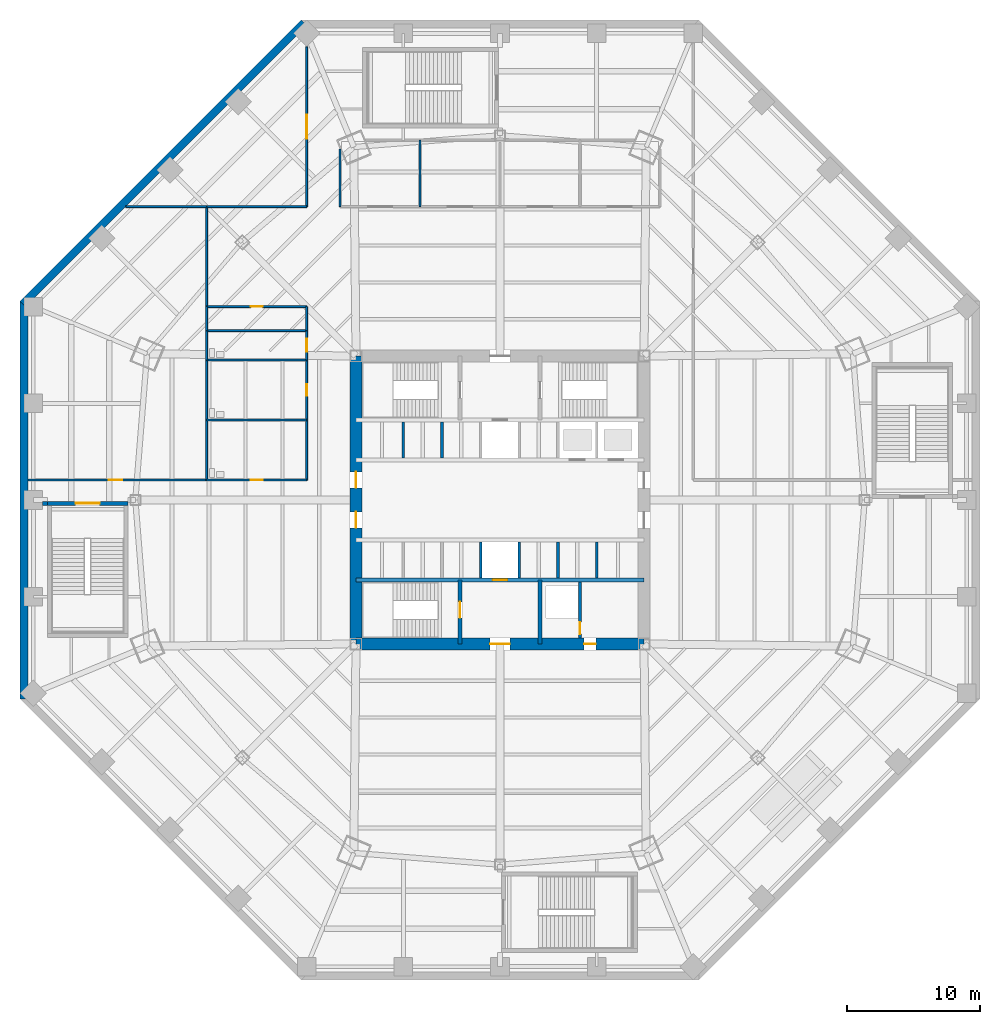
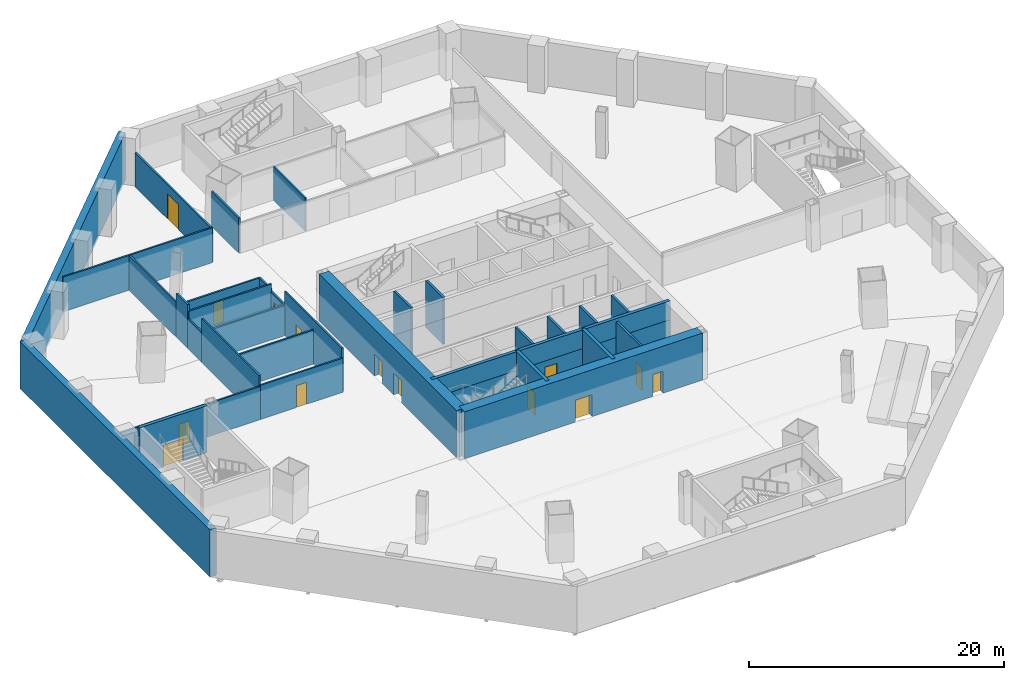
# One storey, part 8 of 15: 35 walls, 14 doors, 14 openings.
"""IFC4 building model written with IfcOpenShell, lengths in metres."""

from ifc_helpers import new_model, si_unit, direction, frame, frame_2d, origin, place, context, subcontext, project, spatial, rectangle, extrude, material, layer, layer_set, type_object, element, fill, save


model = new_model("IFC4")

# Units and contexts
model_context = context("Model", 3, precision=1e-05, world=origin(), true_north=direction((0.0, 1.0)))
body_context = subcontext(model_context, "Body", "Model", "MODEL_VIEW")
ifc_project = project(units=[si_unit("LENGTHUNIT", "METRE"), si_unit("AREAUNIT", "SQUARE_METRE"), si_unit("VOLUMEUNIT", "CUBIC_METRE"), si_unit("PLANEANGLEUNIT", "RADIAN"), si_unit("MASSUNIT", "GRAM", prefix="KILO")], contexts=[model_context])

# Site, building, storey
site_placement = place(None, origin())
site = spatial("IfcSite", under=ifc_project, at=site_placement, CompositionType="ELEMENT")
building_placement = place(site_placement, origin())
building = spatial("IfcBuilding", under=site, at=building_placement, Name="Mashrafa Tower", CompositionType="ELEMENT")
storey_placement = place(building_placement, frame((0.0, 0.0, -4.5)))
storey = spatial("IfcBuildingStorey", under=building, at=storey_placement, Name="B1", CompositionType="ELEMENT", Elevation=-4.5)

# Walls
ifc_material_1 = material(Name="Concrete C40/50", Category="concrete")
ifc_layer_1 = layer(ifc_material_1, 0.60009765625)
ifc_layer_set_1 = layer_set([ifc_layer_1], Name="Basement retaining wall 600")
wall_type_1 = type_object("IfcWallType", Name="Basement retaining wall 600", PredefinedType="SOLIDWALL", material=ifc_layer_set_1)
wall_1_placement = place(storey_placement, frame((-14.699462890625, 35.787841796875, -0.300048828125), z_axis=(0.0, 0.0, 1.0), x_axis=(-0.707106781187, -0.707106781187, 0.0)))
element("IfcWall", 1, at=wall_1_placement, inside=storey, type_object=wall_type_1, Name="Basement retaining wall B1 north-west", PredefinedType="SOLIDWALL", context=body_context, shape_type="SweptSolid", body=[
    extrude(rectangle(XDim=29.823486328125, YDim=0.60009765625, at=frame_2d((14.91162109375, 0.0))), origin(), (0.0, 0.0, 1.0), 4.5),
])
wall_2_placement = place(storey_placement, frame((-35.699951171875, 14.91162109375, -0.300048828125), z_axis=(0.0, 0.0, 1.0), x_axis=(0.0, -1.0, 0.0)))
element("IfcWall", 2, at=wall_2_placement, inside=storey, type_object=wall_type_1, Name="Basement retaining wall B1 west", PredefinedType="SOLIDWALL", context=body_context, shape_type="SweptSolid", body=[
    extrude(rectangle(XDim=29.8232421875, YDim=0.60009765625, at=frame_2d((14.91162109375, 0.0))), origin(), (0.0, 0.0, 1.0), 4.5),
])

# Wall, opening, door
ifc_material_2 = material(Name="Concrete masonry unit", Category="masonry")
ifc_layer_2 = layer(ifc_material_2, 0.199951171875)
ifc_layer_set_2 = layer_set([ifc_layer_2], Name="Blockwork wall 200 2 hr")
wall_type_2 = type_object("IfcWallType", Name="Blockwork wall 200 2 hr", PredefinedType="PARTITIONING", material=ifc_layer_set_2)
wall_3_placement = place(storey_placement, frame((6.0, -10.35009765625, 0.0), z_axis=(0.0, 0.0, 1.0), x_axis=(0.0, 1.0, 0.0)))
wall_3 = element("IfcWall", 3, at=wall_3_placement, inside=storey, type_object=wall_type_2, Name="Riser enclosure wall B1", PredefinedType="PARTITIONING", context=body_context, shape_type="SweptSolid", body=[
    extrude(rectangle(XDim=4.2001953125, YDim=0.199951171875, at=frame_2d((2.10009765625, 0.0))), origin(), (0.0, 0.0, 1.0), 4.199951171875),
])
opening_1_placement = place(wall_3_placement, frame((0.300048828125, 0.0, 0.0)))
opening_1 = element("IfcOpeningElement", 4, at=opening_1_placement, cuts=wall_3, Name="Opening B1.022", PredefinedType="OPENING", context=body_context, shape_type="SweptSolid", body=[
    extrude(rectangle(XDim=0.89990234375, YDim=2.10009765625, at=frame_2d((0.449951171875, 1.050048828125))), frame((0.0, 0.10986328125, 0.0), z_axis=(0.0, -1.0, 0.0), x_axis=(1.0, 0.0, 0.0)), (0.0, 0.0, 1.0), 0.219970703125),
])
ifc_material_3 = material(Name="Steel door", Category="steel")
door_type_1 = type_object("IfcDoorType", Name="Service door 900 x 2100 90 min", OperationType="USERDEFINED", PredefinedType="DOOR", material=ifc_material_3)
door_1_placement = place(opening_1_placement, origin())
door_1 = element("IfcDoor", 5, at=door_1_placement, inside=storey, type_object=door_type_1, Name="Riser door B1", OperationType="SINGLE_SWING_LEFT", OverallHeight=2.10009765625, OverallWidth=0.89990234375, PredefinedType="DOOR", context=body_context, shape_type="SweptSolid", body=[
    extrude(rectangle(XDim=0.89990234375, YDim=2.10009765625, at=frame_2d((0.449951171875, 1.050048828125))), frame((0.0, 0.02490234375, 0.0), z_axis=(0.0, -1.0, 0.0), x_axis=(1.0, 0.0, 0.0)), (0.0, 0.0, 1.0), 0.050048828125),
])
fill(opening_1, door_1)

ifc_material_4 = material(Name="Concrete C60/75", Category="concrete")
ifc_layer_3 = layer(ifc_material_4, 0.300048828125)
ifc_layer_set_3 = layer_set([ifc_layer_3], Name="Core wall 300 C60/75")
wall_type_3 = type_object("IfcWallType", Name="Core wall 300 C60/75", PredefinedType="SOLIDWALL", material=ifc_layer_set_3)
wall_4_placement = place(storey_placement, frame((-10.800048828125, -6.0, 0.0), z_axis=(0.0, 0.0, 1.0), x_axis=(1.0, 0.0, 0.0)))
wall_4 = element("IfcWall", 6, at=wall_4_placement, inside=storey, type_object=wall_type_3, Name="Core wall CB-S B1", PredefinedType="SOLIDWALL", context=body_context, shape_type="SweptSolid", body=[
    extrude(rectangle(XDim=21.60009765625, YDim=0.300048828125, at=frame_2d((10.800048828125, 0.0))), origin(), (0.0, 0.0, 1.0), 2.699951171875),
])
opening_2_placement = place(wall_4_placement, frame((10.25, 0.0, 0.0)))
opening_2 = element("IfcOpeningElement", 7, at=opening_2_placement, cuts=wall_4, Name="Opening B1.F2", PredefinedType="OPENING", context=body_context, shape_type="SweptSolid", body=[
    extrude(rectangle(XDim=1.10009765625, YDim=2.10009765625, at=frame_2d((0.550048828125, 1.050048828125))), frame((0.0, 0.159912109375, 0.0), z_axis=(0.0, -1.0, 0.0), x_axis=(1.0, 0.0, 0.0)), (0.0, 0.0, 1.0), 0.320068359375),
])
ifc_material_5 = material(Name="Steel door", Category="steel")
door_type_2 = type_object("IfcDoorType", Name="Lift landing door 1100 x 2100 90 min", OperationType="DOUBLE_DOOR_SLIDING", PredefinedType="DOOR", material=ifc_material_5)
door_2_placement = place(opening_2_placement, origin())
door_2 = element("IfcDoor", 8, at=door_2_placement, inside=storey, type_object=door_type_2, Name="Lift landing door F2 B1", OperationType="DOUBLE_DOOR_SLIDING", OverallHeight=2.10009765625, OverallWidth=1.10009765625, PredefinedType="DOOR", context=body_context, shape_type="SweptSolid", body=[
    extrude(rectangle(XDim=1.10009765625, YDim=2.10009765625, at=frame_2d((0.550048828125, 1.050048828125))), frame((0.0, 0.02490234375, 0.0), z_axis=(0.0, -1.0, 0.0), x_axis=(1.0, 0.0, 0.0)), (0.0, 0.0, 1.0), 0.050048828125),
])
fill(opening_2, door_2)

# Wall
wall_5_placement = place(storey_placement, frame((-10.800048828125, -6.0, 2.699951171875), z_axis=(0.0, 0.0, 1.0), x_axis=(1.0, 0.0, 0.0)))
element("IfcWall", 9, at=wall_5_placement, inside=storey, type_object=wall_type_3, Name="Core wall CB-S B1 above pit floor", PredefinedType="SOLIDWALL", context=body_context, shape_type="SweptSolid", body=[
    extrude(rectangle(XDim=21.60009765625, YDim=0.300048828125, at=frame_2d((10.800048828125, 0.0))), origin(), (0.0, 0.0, 1.0), 1.800048828125),
])

# Wall, opening, door
wall_6_placement = place(storey_placement, frame((-3.0, -6.0, 0.0), z_axis=(0.0, 0.0, 1.0), x_axis=(0.0, -1.0, 0.0)))
wall_6 = element("IfcWall", 10, at=wall_6_placement, inside=storey, type_object=wall_type_3, Name="Core wall CX-SW B1", PredefinedType="SOLIDWALL", context=body_context, shape_type="SweptSolid", body=[
    extrude(rectangle(XDim=4.800048828125, YDim=0.300048828125, at=frame_2d((2.39990234375, 0.0))), origin(), (0.0, 0.0, 1.0), 4.5),
])
opening_3_placement = place(wall_6_placement, frame((1.64990234375, 0.0, 0.0)))
opening_3 = element("IfcOpeningElement", 11, at=opening_3_placement, cuts=wall_6, Name="Opening B1.020", PredefinedType="OPENING", context=body_context, shape_type="SweptSolid", body=[
    extrude(rectangle(XDim=1.199951171875, YDim=2.10009765625, at=frame_2d((0.60009765625, 1.050048828125))), frame((0.0, 0.159912109375, 0.0), z_axis=(0.0, -1.0, 0.0), x_axis=(1.0, 0.0, 0.0)), (0.0, 0.0, 1.0), 0.320068359375),
])
ifc_material_6 = material(Name="Steel door", Category="steel")
door_type_3 = type_object("IfcDoorType", Name="Stair door 1200 x 2100 90 min", OperationType="USERDEFINED", PredefinedType="DOOR", material=ifc_material_6)
door_3_placement = place(opening_3_placement, frame((1.199951171875, 0.0, 0.0), z_axis=(0.0, 0.0, 1.0), x_axis=(-1.0, 0.0, 0.0)))
door_3 = element("IfcDoor", 12, at=door_3_placement, inside=storey, type_object=door_type_3, Name="Stair S3 door B1", OperationType="SINGLE_SWING_RIGHT", OverallHeight=2.10009765625, OverallWidth=1.199951171875, PredefinedType="DOOR", context=body_context, shape_type="SweptSolid", body=[
    extrude(rectangle(XDim=1.199951171875, YDim=2.10009765625, at=frame_2d((0.60009765625, 1.050048828125))), frame((0.0, 0.02490234375, 0.0), z_axis=(0.0, -1.0, 0.0), x_axis=(1.0, 0.0, 0.0)), (0.0, 0.0, 1.0), 0.050048828125),
])
fill(opening_3, door_3)

# Wall
wall_7_placement = place(storey_placement, frame((3.0, -6.0, 0.0), z_axis=(0.0, 0.0, 1.0), x_axis=(0.0, -1.0, 0.0)))
element("IfcWall", 13, at=wall_7_placement, inside=storey, type_object=wall_type_3, Name="Core wall CX-SE B1", PredefinedType="SOLIDWALL", context=body_context, shape_type="SweptSolid", body=[
    extrude(rectangle(XDim=4.800048828125, YDim=0.300048828125, at=frame_2d((2.39990234375, 0.0))), origin(), (0.0, 0.0, 1.0), 4.5),
])

# Wall, openings, doors
ifc_material_7 = material(Name="Concrete C60/75", Category="concrete")
ifc_layer_4 = layer(ifc_material_7, 0.89990234375)
ifc_layer_set_4 = layer_set([ifc_layer_4], Name="Core wall 900 C60/75")
wall_type_4 = type_object("IfcWallType", Name="Core wall 900 C60/75", PredefinedType="SOLIDWALL", material=ifc_layer_set_4)
wall_8_placement = place(storey_placement, frame((-10.800048828125, -10.800048828125, 0.0), z_axis=(0.0, 0.0, 1.0), x_axis=(1.0, 0.0, 0.0)))
wall_8 = element("IfcWall", 14, at=wall_8_placement, inside=storey, type_object=wall_type_4, Name="Core wall CW-S B1", PredefinedType="SOLIDWALL", context=body_context, shape_type="SweptSolid", body=[
    extrude(rectangle(XDim=21.60009765625, YDim=0.89990234375, at=frame_2d((10.800048828125, 0.0))), origin(), (0.0, 0.0, 1.0), 4.5),
])
opening_4_placement = place(wall_8_placement, frame((10.050048828125, 0.0, 0.0)))
opening_4 = element("IfcOpeningElement", 15, at=opening_4_placement, cuts=wall_8, Name="Opening B1.017", PredefinedType="OPENING", context=body_context, shape_type="SweptSolid", body=[
    extrude(rectangle(XDim=1.5, YDim=2.10009765625, at=frame_2d((0.75, 1.050048828125))), frame((0.0, 0.4599609375, 0.0), z_axis=(0.0, -1.0, 0.0), x_axis=(1.0, 0.0, 0.0)), (0.0, 0.0, 1.0), 0.919921875),
])
opening_5_placement = place(wall_8_placement, frame((17.10009765625, 0.0, 0.0)))
opening_5 = element("IfcOpeningElement", 16, at=opening_5_placement, cuts=wall_8, Name="Opening B1.021", PredefinedType="OPENING", context=body_context, shape_type="SweptSolid", body=[
    extrude(rectangle(XDim=0.89990234375, YDim=2.10009765625, at=frame_2d((0.449951171875, 1.050048828125))), frame((0.0, 0.4599609375, 0.0), z_axis=(0.0, -1.0, 0.0), x_axis=(1.0, 0.0, 0.0)), (0.0, 0.0, 1.0), 0.919921875),
])
ifc_material_8 = material(Name="Steel door", Category="steel")
door_type_4 = type_object("IfcDoorType", Name="Lobby door pair 1500 x 2100 90 min", OperationType="DOUBLE_DOOR_SINGLE_SWING", PredefinedType="DOOR", material=ifc_material_8)
door_4_placement = place(opening_4_placement, frame((1.5, 0.0, 0.0), z_axis=(0.0, 0.0, 1.0), x_axis=(-1.0, 0.0, 0.0)))
door_4 = element("IfcDoor", 17, at=door_4_placement, inside=storey, type_object=door_type_4, Name="Fire-fighting lobby F2 door B1", OperationType="DOUBLE_DOOR_SINGLE_SWING", OverallHeight=2.10009765625, OverallWidth=1.5, PredefinedType="DOOR", context=body_context, shape_type="SweptSolid", body=[
    extrude(rectangle(XDim=1.5, YDim=2.10009765625, at=frame_2d((0.75, 1.050048828125))), frame((0.0, 0.02490234375, 0.0), z_axis=(0.0, -1.0, 0.0), x_axis=(1.0, 0.0, 0.0)), (0.0, 0.0, 1.0), 0.050048828125),
])
fill(opening_4, door_4)
door_5_placement = place(opening_5_placement, origin())
door_5 = element("IfcDoor", 18, at=door_5_placement, inside=storey, type_object=door_type_1, Name="Station Communications Room B1 door", OperationType="SINGLE_SWING_LEFT", OverallHeight=2.10009765625, OverallWidth=0.89990234375, PredefinedType="DOOR", context=body_context, shape_type="SweptSolid", body=[
    extrude(rectangle(XDim=0.89990234375, YDim=2.10009765625, at=frame_2d((0.449951171875, 1.050048828125))), frame((0.0, 0.02490234375, 0.0), z_axis=(0.0, -1.0, 0.0), x_axis=(1.0, 0.0, 0.0)), (0.0, 0.0, 1.0), 0.050048828125),
])
fill(opening_5, door_5)

wall_9_placement = place(storey_placement, frame((-10.800048828125, 10.800048828125, 0.0), z_axis=(0.0, 0.0, 1.0), x_axis=(0.0, -1.0, 0.0)))
wall_9 = element("IfcWall", 19, at=wall_9_placement, inside=storey, type_object=wall_type_4, Name="Core wall CW-W B1", PredefinedType="SOLIDWALL", context=body_context, shape_type="SweptSolid", body=[
    extrude(rectangle(XDim=21.60009765625, YDim=0.89990234375, at=frame_2d((10.800048828125, 0.0))), origin(), (0.0, 0.0, 1.0), 4.5),
])
opening_6_placement = place(wall_9_placement, frame((8.699951171875, 0.0, 0.0)))
opening_6 = element("IfcOpeningElement", 20, at=opening_6_placement, cuts=wall_9, Name="Opening B1.013", PredefinedType="OPENING", context=body_context, shape_type="SweptSolid", body=[
    extrude(rectangle(XDim=1.199951171875, YDim=2.10009765625, at=frame_2d((0.60009765625, 1.050048828125))), frame((0.0, 0.4599609375, 0.0), z_axis=(0.0, -1.0, 0.0), x_axis=(1.0, 0.0, 0.0)), (0.0, 0.0, 1.0), 0.919921875),
])
opening_7_placement = place(wall_9_placement, frame((11.699951171875, 0.0, 0.0)))
opening_7 = element("IfcOpeningElement", 21, at=opening_7_placement, cuts=wall_9, Name="Opening B1.015", PredefinedType="OPENING", context=body_context, shape_type="SweptSolid", body=[
    extrude(rectangle(XDim=1.199951171875, YDim=2.10009765625, at=frame_2d((0.60009765625, 1.050048828125))), frame((0.0, 0.4599609375, 0.0), z_axis=(0.0, -1.0, 0.0), x_axis=(1.0, 0.0, 0.0)), (0.0, 0.0, 1.0), 0.919921875),
])
ifc_material_9 = material(Name="Steel door", Category="steel")
door_type_5 = type_object("IfcDoorType", Name="Lift hall door 1200 x 2100 90 min", OperationType="USERDEFINED", PredefinedType="DOOR", material=ifc_material_9)
door_6_placement = place(opening_6_placement, frame((1.199951171875, 0.0, 0.0), z_axis=(0.0, 0.0, 1.0), x_axis=(-1.0, 0.0, 0.0)))
door_6 = element("IfcDoor", 22, at=door_6_placement, inside=storey, type_object=door_type_5, Name="Lift hall door west B1", OperationType="SINGLE_SWING_LEFT", OverallHeight=2.10009765625, OverallWidth=1.199951171875, PredefinedType="DOOR", context=body_context, shape_type="SweptSolid", body=[
    extrude(rectangle(XDim=1.199951171875, YDim=2.10009765625, at=frame_2d((0.60009765625, 1.050048828125))), frame((0.0, 0.02490234375, 0.0), z_axis=(0.0, -1.0, 0.0), x_axis=(1.0, 0.0, 0.0)), (0.0, 0.0, 1.0), 0.050048828125),
])
fill(opening_6, door_6)
door_7_placement = place(opening_7_placement, frame((1.199951171875, 0.0, 0.0), z_axis=(0.0, 0.0, 1.0), x_axis=(-1.0, 0.0, 0.0)))
door_7 = element("IfcDoor", 23, at=door_7_placement, inside=storey, type_object=door_type_5, Name="Lift hall door west B1", OperationType="SINGLE_SWING_LEFT", OverallHeight=2.10009765625, OverallWidth=1.199951171875, PredefinedType="DOOR", context=body_context, shape_type="SweptSolid", body=[
    extrude(rectangle(XDim=1.199951171875, YDim=2.10009765625, at=frame_2d((0.60009765625, 1.050048828125))), frame((0.0, 0.02490234375, 0.0), z_axis=(0.0, -1.0, 0.0), x_axis=(1.0, 0.0, 0.0)), (0.0, 0.0, 1.0), 0.050048828125),
])
fill(opening_7, door_7)

# Wall, opening, door
ifc_material_10 = material(Name="Gypsum board on steel studs", Category="steel")
ifc_layer_5 = layer(ifc_material_10, 0.14990234375)
ifc_layer_set_5 = layer_set([ifc_layer_5], Name="Corridor partition 150 1 hr")
wall_type_5 = type_object("IfcWallType", Name="Corridor partition 150 1 hr", PredefinedType="PARTITIONING", material=ifc_layer_set_5)
wall_10_placement = place(storey_placement, frame((-22.0, 1.5, 0.0), z_axis=(0.0, 0.0, 1.0), x_axis=(1.0, 0.0, 0.0)))
wall_10 = element("IfcWall", 24, at=wall_10_placement, inside=storey, type_object=wall_type_5, Name="Corridor wall B1-003", PredefinedType="PARTITIONING", context=body_context, shape_type="SweptSolid", body=[
    extrude(rectangle(XDim=7.5, YDim=0.14990234375, at=frame_2d((3.75, 0.0))), origin(), (0.0, 0.0, 1.0), 3.278076171875),
])
opening_8_placement = place(wall_10_placement, frame((3.300048828125, 0.0, 0.0)))
opening_8 = element("IfcOpeningElement", 25, at=opening_8_placement, cuts=wall_10, Name="Opening B1.001", PredefinedType="OPENING", context=body_context, shape_type="SweptSolid", body=[
    extrude(rectangle(XDim=0.89990234375, YDim=2.10009765625, at=frame_2d((0.449951171875, 1.050048828125))), frame((0.0, 0.0849609375, 0.0), z_axis=(0.0, -1.0, 0.0), x_axis=(1.0, 0.0, 0.0)), (0.0, 0.0, 1.0), 0.169921875),
])
ifc_material_11 = material(Name="Timber door", Category="wood")
door_type_6 = type_object("IfcDoorType", Name="Toilet door 900 x 2100", OperationType="USERDEFINED", PredefinedType="DOOR", material=ifc_material_11)
door_8_placement = place(opening_8_placement, origin())
door_8 = element("IfcDoor", 26, at=door_8_placement, inside=storey, type_object=door_type_6, Name="WC Female B1 door", OperationType="SINGLE_SWING_LEFT", OverallHeight=2.10009765625, OverallWidth=0.89990234375, PredefinedType="DOOR", context=body_context, shape_type="SweptSolid", body=[
    extrude(rectangle(XDim=0.89990234375, YDim=2.10009765625, at=frame_2d((0.449951171875, 1.050048828125))), frame((0.0, 0.02490234375, 0.0), z_axis=(0.0, -1.0, 0.0), x_axis=(1.0, 0.0, 0.0)), (0.0, 0.0, 1.0), 0.050048828125),
])
fill(opening_8, door_8)

wall_11_placement = place(storey_placement, frame((-14.5, 1.5, 0.0), z_axis=(0.0, 0.0, 1.0), x_axis=(0.0, 1.0, 0.0)))
wall_11 = element("IfcWall", 27, at=wall_11_placement, inside=storey, type_object=wall_type_5, Name="Corridor wall B1-004", PredefinedType="PARTITIONING", context=body_context, shape_type="SweptSolid", body=[
    extrude(rectangle(XDim=9.0, YDim=0.14990234375, at=frame_2d((4.5, 0.0))), origin(), (0.0, 0.0, 1.0), 4.199951171875),
])
opening_9_placement = place(wall_11_placement, frame((6.300048828125, 0.0, 0.0)))
opening_9 = element("IfcOpeningElement", 28, at=opening_9_placement, cuts=wall_11, Name="Opening B1.002", PredefinedType="OPENING", context=body_context, shape_type="SweptSolid", body=[
    extrude(rectangle(XDim=0.89990234375, YDim=2.10009765625, at=frame_2d((0.449951171875, 1.050048828125))), frame((0.0, 0.0849609375, 0.0), z_axis=(0.0, -1.0, 0.0), x_axis=(1.0, 0.0, 0.0)), (0.0, 0.0, 1.0), 0.169921875),
])
door_9_placement = place(opening_9_placement, origin())
door_9 = element("IfcDoor", 29, at=door_9_placement, inside=storey, type_object=door_type_6, Name="WC Male B1 door", OperationType="SINGLE_SWING_LEFT", OverallHeight=2.10009765625, OverallWidth=0.89990234375, PredefinedType="DOOR", context=body_context, shape_type="SweptSolid", body=[
    extrude(rectangle(XDim=0.89990234375, YDim=2.10009765625, at=frame_2d((0.449951171875, 1.050048828125))), frame((0.0, 0.02490234375, 0.0), z_axis=(0.0, -1.0, 0.0), x_axis=(1.0, 0.0, 0.0)), (0.0, 0.0, 1.0), 0.050048828125),
])
fill(opening_9, door_9)

wall_12_placement = place(storey_placement, frame((-14.5, 10.5, 0.0), z_axis=(0.0, 0.0, 1.0), x_axis=(0.0, 1.0, 0.0)))
wall_12 = element("IfcWall", 30, at=wall_12_placement, inside=storey, type_object=wall_type_5, Name="Corridor wall B1-010", PredefinedType="PARTITIONING", context=body_context, shape_type="SweptSolid", body=[
    extrude(rectangle(XDim=2.199951171875, YDim=0.14990234375, at=frame_2d((1.10009765625, 0.0))), origin(), (0.0, 0.0, 1.0), 2.889892578125),
])
opening_10_placement = place(wall_12_placement, frame((0.60009765625, 0.0, 0.0)))
opening_10 = element("IfcOpeningElement", 31, at=opening_10_placement, cuts=wall_12, Name="Opening B1.003", PredefinedType="OPENING", context=body_context, shape_type="SweptSolid", body=[
    extrude(rectangle(XDim=1.0, YDim=2.10009765625, at=frame_2d((0.5, 1.050048828125))), frame((0.0, 0.0849609375, 0.0), z_axis=(0.0, -1.0, 0.0), x_axis=(1.0, 0.0, 0.0)), (0.0, 0.0, 1.0), 0.169921875),
])
ifc_material_12 = material(Name="Timber door", Category="wood")
door_type_7 = type_object("IfcDoorType", Name="Accessible toilet door 1000 x 2100", OperationType="USERDEFINED", PredefinedType="DOOR", material=ifc_material_12)
door_10_placement = place(opening_10_placement, origin())
door_10 = element("IfcDoor", 32, at=door_10_placement, inside=storey, type_object=door_type_7, Name="Accessible WC B1 door", OperationType="SINGLE_SWING_LEFT", OverallHeight=2.10009765625, OverallWidth=1.0, PredefinedType="DOOR", context=body_context, shape_type="SweptSolid", body=[
    extrude(rectangle(XDim=1.0, YDim=2.10009765625, at=frame_2d((0.5, 1.050048828125))), frame((0.0, 0.02490234375, 0.0), z_axis=(0.0, -1.0, 0.0), x_axis=(1.0, 0.0, 0.0)), (0.0, 0.0, 1.0), 0.050048828125),
])
fill(opening_10, door_10)

# Wall
wall_13_placement = place(storey_placement, frame((-14.5, 12.699951171875, 0.0), z_axis=(0.0, 0.0, 1.0), x_axis=(0.0, 1.0, 0.0)))
element("IfcWall", 33, at=wall_13_placement, inside=storey, type_object=wall_type_5, Name="Corridor wall B1-012", PredefinedType="PARTITIONING", context=body_context, shape_type="SweptSolid", body=[
    extrude(rectangle(XDim=1.800048828125, YDim=0.14990234375, at=frame_2d((0.89990234375, 0.0))), origin(), (0.0, 0.0, 1.0), 3.090087890625),
])

# Wall, opening, door
wall_14_placement = place(storey_placement, frame((-14.5, 14.5, 0.0), z_axis=(0.0, 0.0, 1.0), x_axis=(-1.0, 0.0, 0.0)))
wall_14 = element("IfcWall", 34, at=wall_14_placement, inside=storey, type_object=wall_type_5, Name="Corridor wall B1-013", PredefinedType="PARTITIONING", context=body_context, shape_type="SweptSolid", body=[
    extrude(rectangle(XDim=7.5, YDim=0.14990234375, at=frame_2d((3.75, 0.0))), origin(), (0.0, 0.0, 1.0), 3.090087890625),
])
opening_11_placement = place(wall_14_placement, frame((3.300048828125, 0.0, 0.0)))
opening_11 = element("IfcOpeningElement", 35, at=opening_11_placement, cuts=wall_14, Name="Opening B1.004", PredefinedType="OPENING", context=body_context, shape_type="SweptSolid", body=[
    extrude(rectangle(XDim=0.89990234375, YDim=2.10009765625, at=frame_2d((0.449951171875, 1.050048828125))), frame((0.0, 0.0849609375, 0.0), z_axis=(0.0, -1.0, 0.0), x_axis=(1.0, 0.0, 0.0)), (0.0, 0.0, 1.0), 0.169921875),
])
ifc_material_13 = material(Name="Timber door", Category="wood")
door_type_8 = type_object("IfcDoorType", Name="Store door 900 x 2100", OperationType="USERDEFINED", PredefinedType="DOOR", material=ifc_material_13)
door_11_placement = place(opening_11_placement, origin())
door_11 = element("IfcDoor", 36, at=door_11_placement, inside=storey, type_object=door_type_8, Name="Cleaner's Store B1 door", OperationType="SINGLE_SWING_LEFT", OverallHeight=2.10009765625, OverallWidth=0.89990234375, PredefinedType="DOOR", context=body_context, shape_type="SweptSolid", body=[
    extrude(rectangle(XDim=0.89990234375, YDim=2.10009765625, at=frame_2d((0.449951171875, 1.050048828125))), frame((0.0, 0.02490234375, 0.0), z_axis=(0.0, -1.0, 0.0), x_axis=(1.0, 0.0, 0.0)), (0.0, 0.0, 1.0), 0.050048828125),
])
fill(opening_11, door_11)

# Wall
wall_15_placement = place(storey_placement, frame((-22.0009765625, 22.0, 0.0), z_axis=(0.0, 0.0, 1.0), x_axis=(1.0, 0.0, 0.0)))
element("IfcWall", 37, at=wall_15_placement, inside=storey, type_object=wall_type_5, Name="Corridor wall B1-018", PredefinedType="PARTITIONING", context=body_context, shape_type="SweptSolid", body=[
    extrude(rectangle(XDim=7.5009765625, YDim=0.14990234375, at=frame_2d((3.75048828125, 0.0))), origin(), (0.0, 0.0, 1.0), 3.33154296875),
])

# Wall, opening, door
wall_16_placement = place(storey_placement, frame((-14.5, 22.0, 0.0), z_axis=(0.0, 0.0, 1.0), x_axis=(0.0, 1.0, 0.0)))
wall_16 = element("IfcWall", 38, at=wall_16_placement, inside=storey, type_object=wall_type_5, Name="Corridor wall B1-019", PredefinedType="PARTITIONING", context=body_context, shape_type="SweptSolid", body=[
    extrude(rectangle(XDim=11.985595703125, YDim=0.14990234375, at=frame_2d((5.99267578125, 0.0))), origin(), (0.0, 0.0, 1.0), 3.262939453125),
])
opening_12_placement = place(wall_16_placement, frame((5.093017578125, 0.0, 0.0)))
opening_12 = element("IfcOpeningElement", 39, at=opening_12_placement, cuts=wall_16, Name="Opening B1.006", PredefinedType="OPENING", context=body_context, shape_type="SweptSolid", body=[
    extrude(rectangle(XDim=1.800048828125, YDim=2.39990234375, at=frame_2d((0.89990234375, 1.199951171875))), frame((0.0, 0.0849609375, 0.0), z_axis=(0.0, -1.0, 0.0), x_axis=(1.0, 0.0, 0.0)), (0.0, 0.0, 1.0), 0.169921875),
])
ifc_material_14 = material(Name="Steel door", Category="steel")
door_type_9 = type_object("IfcDoorType", Name="Door pair 1800 x 2400 90 min", OperationType="DOUBLE_DOOR_SINGLE_SWING", PredefinedType="DOOR", material=ifc_material_14)
door_12_placement = place(opening_12_placement, origin())
door_12 = element("IfcDoor", 40, at=door_12_placement, inside=storey, type_object=door_type_9, Name="Refuse Store B1 door", OperationType="DOUBLE_DOOR_SINGLE_SWING", OverallHeight=2.39990234375, OverallWidth=1.800048828125, PredefinedType="DOOR", context=body_context, shape_type="SweptSolid", body=[
    extrude(rectangle(XDim=1.800048828125, YDim=2.39990234375, at=frame_2d((0.89990234375, 1.199951171875))), frame((0.0, 0.02490234375, 0.0), z_axis=(0.0, -1.0, 0.0), x_axis=(1.0, 0.0, 0.0)), (0.0, 0.0, 1.0), 0.050048828125),
])
fill(opening_12, door_12)

wall_17_placement = place(storey_placement, frame((-35.39501953125, 1.5, 0.0), z_axis=(0.0, 0.0, 1.0), x_axis=(1.0, 0.0, 0.0)))
wall_17 = element("IfcWall", 41, at=wall_17_placement, inside=storey, type_object=wall_type_5, Name="Corridor wall B1-020", PredefinedType="PARTITIONING", context=body_context, shape_type="SweptSolid", body=[
    extrude(rectangle(XDim=13.39501953125, YDim=0.14990234375, at=frame_2d((6.697509765625, 0.0))), origin(), (0.0, 0.0, 1.0), 3.17919921875),
])
opening_13_placement = place(wall_17_placement, frame((6.050048828125, 0.0, 0.0)))
opening_13 = element("IfcOpeningElement", 42, at=opening_13_placement, cuts=wall_17, Name="Opening B1.007", PredefinedType="OPENING", context=body_context, shape_type="SweptSolid", body=[
    extrude(rectangle(XDim=1.0, YDim=2.10009765625, at=frame_2d((0.5, 1.050048828125))), frame((0.0, 0.0849609375, 0.0), z_axis=(0.0, -1.0, 0.0), x_axis=(1.0, 0.0, 0.0)), (0.0, 0.0, 1.0), 0.169921875),
])
ifc_material_15 = material(Name="Timber door", Category="wood")
door_type_10 = type_object("IfcDoorType", Name="Door 1000 x 2100", OperationType="USERDEFINED", PredefinedType="DOOR", material=ifc_material_15)
door_13_placement = place(opening_13_placement, origin())
door_13 = element("IfcDoor", 43, at=door_13_placement, inside=storey, type_object=door_type_10, Name="Station Staff Room B1 door", OperationType="SINGLE_SWING_LEFT", OverallHeight=2.10009765625, OverallWidth=1.0, PredefinedType="DOOR", context=body_context, shape_type="SweptSolid", body=[
    extrude(rectangle(XDim=1.0, YDim=2.10009765625, at=frame_2d((0.5, 1.050048828125))), frame((0.0, 0.02490234375, 0.0), z_axis=(0.0, -1.0, 0.0), x_axis=(1.0, 0.0, 0.0)), (0.0, 0.0, 1.0), 0.050048828125),
])
fill(opening_13, door_13)

# Walls
wall_18_placement = place(storey_placement, frame((-22.0, 14.4990234375, 0.0), z_axis=(0.0, 0.0, 1.0), x_axis=(0.0, 1.0, 0.0)))
element("IfcWall", 44, at=wall_18_placement, inside=storey, type_object=wall_type_5, Name="Corridor wall B1-021", PredefinedType="PARTITIONING", context=body_context, shape_type="SweptSolid", body=[
    extrude(rectangle(XDim=7.5009765625, YDim=0.14990234375, at=frame_2d((3.75048828125, 0.0))), origin(), (0.0, 0.0, 1.0), 3.33154296875),
])
wall_19_placement = place(storey_placement, frame((-12.0, 26.307861328125, 0.0), z_axis=(0.0, 0.0, 1.0), x_axis=(0.0, -1.0, 0.0)))
element("IfcWall", 45, at=wall_19_placement, inside=storey, type_object=wall_type_5, Name="Corridor wall B1-024", PredefinedType="PARTITIONING", context=body_context, shape_type="SweptSolid", body=[
    extrude(rectangle(XDim=4.307861328125, YDim=0.14990234375, at=frame_2d((2.15380859375, 0.0))), origin(), (0.0, 0.0, 1.0), 3.349365234375),
])
ifc_material_16 = material(Name="Gypsum board on steel studs", Category="steel")
ifc_layer_6 = layer(ifc_material_16, 0.14990234375)
ifc_layer_set_6 = layer_set([ifc_layer_6], Name="Partition 150")
wall_type_6 = type_object("IfcWallType", Name="Partition 150", PredefinedType="PARTITIONING", material=ifc_layer_set_6)
wall_20_placement = place(storey_placement, frame((-14.5, 6.0, 0.0), z_axis=(0.0, 0.0, 1.0), x_axis=(-1.0, 0.0, 0.0)))
element("IfcWall", 46, at=wall_20_placement, inside=storey, type_object=wall_type_6, Name="Partition wall B1-001", PredefinedType="PARTITIONING", context=body_context, shape_type="SweptSolid", body=[
    extrude(rectangle(XDim=7.5, YDim=0.14990234375, at=frame_2d((3.75, 0.0))), origin(), (0.0, 0.0, 1.0), 3.278076171875),
])
wall_21_placement = place(storey_placement, frame((-22.0, 1.5, 0.0), z_axis=(0.0, 0.0, 1.0), x_axis=(0.0, 1.0, 0.0)))
element("IfcWall", 47, at=wall_21_placement, inside=storey, type_object=wall_type_6, Name="Partition wall B1-002", PredefinedType="PARTITIONING", context=body_context, shape_type="SweptSolid", body=[
    extrude(rectangle(XDim=9.0, YDim=0.14990234375, at=frame_2d((4.5, 0.0))), origin(), (0.0, 0.0, 1.0), 4.199951171875),
])
wall_22_placement = place(storey_placement, frame((-14.5, 10.5, 0.0), z_axis=(0.0, 0.0, 1.0), x_axis=(-1.0, 0.0, 0.0)))
element("IfcWall", 48, at=wall_22_placement, inside=storey, type_object=wall_type_6, Name="Partition wall B1-005", PredefinedType="PARTITIONING", context=body_context, shape_type="SweptSolid", body=[
    extrude(rectangle(XDim=7.5, YDim=0.14990234375, at=frame_2d((3.75, 0.0))), origin(), (0.0, 0.0, 1.0), 2.889892578125),
])
wall_23_placement = place(storey_placement, frame((-14.5, 12.699951171875, 0.0), z_axis=(0.0, 0.0, 1.0), x_axis=(-1.0, 0.0, 0.0)))
element("IfcWall", 49, at=wall_23_placement, inside=storey, type_object=wall_type_6, Name="Partition wall B1-008", PredefinedType="PARTITIONING", context=body_context, shape_type="SweptSolid", body=[
    extrude(rectangle(XDim=7.5, YDim=0.14990234375, at=frame_2d((3.75, 0.0))), origin(), (0.0, 0.0, 1.0), 3.5830078125),
])
wall_24_placement = place(storey_placement, frame((-22.0, 12.699951171875, 0.0), z_axis=(0.0, 0.0, 1.0), x_axis=(0.0, -1.0, 0.0)))
element("IfcWall", 50, at=wall_24_placement, inside=storey, type_object=wall_type_6, Name="Partition wall B1-009", PredefinedType="PARTITIONING", context=body_context, shape_type="SweptSolid", body=[
    extrude(rectangle(XDim=2.199951171875, YDim=0.14990234375, at=frame_2d((1.10009765625, 0.0))), origin(), (0.0, 0.0, 1.0), 2.889892578125),
])
wall_25_placement = place(storey_placement, frame((-22.0, 14.5, 0.0), z_axis=(0.0, 0.0, 1.0), x_axis=(0.0, -1.0, 0.0)))
element("IfcWall", 51, at=wall_25_placement, inside=storey, type_object=wall_type_6, Name="Partition wall B1-011", PredefinedType="PARTITIONING", context=body_context, shape_type="SweptSolid", body=[
    extrude(rectangle(XDim=1.800048828125, YDim=0.14990234375, at=frame_2d((0.89990234375, 0.0))), origin(), (0.0, 0.0, 1.0), 4.199951171875),
])
wall_26_placement = place(storey_placement, frame((-28.05810546875, 22.0, 0.0), z_axis=(0.0, 0.0, 1.0), x_axis=(1.0, 0.0, 0.0)))
element("IfcWall", 52, at=wall_26_placement, inside=storey, type_object=wall_type_6, Name="Partition wall B1-017", PredefinedType="PARTITIONING", context=body_context, shape_type="SweptSolid", body=[
    extrude(rectangle(XDim=6.05908203125, YDim=0.14990234375, at=frame_2d((3.029541015625, 0.0))), origin(), (0.0, 0.0, 1.0), 3.33154296875),
])
wall_27_placement = place(storey_placement, frame((-6.0, 22.0, 0.0), z_axis=(0.0, 0.0, 1.0), x_axis=(0.0, 1.0, 0.0)))
element("IfcWall", 53, at=wall_27_placement, inside=storey, type_object=wall_type_6, Name="Partition wall B1-022", PredefinedType="PARTITIONING", context=body_context, shape_type="SweptSolid", body=[
    extrude(rectangle(XDim=5.0, YDim=0.14990234375, at=frame_2d((2.5, 0.0))), origin(), (0.0, 0.0, 1.0), 3.17919921875),
])
ifc_material_17 = material(Name="Gypsum shaft wall on steel studs", Category="steel")
ifc_layer_7 = layer(ifc_material_17, 0.199951171875)
ifc_layer_set_7 = layer_set([ifc_layer_7], Name="Shaft divider wall 200 2 hr")
wall_type_7 = type_object("IfcWallType", Name="Shaft divider wall 200 2 hr", PredefinedType="PARTITIONING", material=ifc_layer_set_7)
for number, where, z_axis, x_axis, name in (
    (54, (-7.25, 3.14990234375, 0.0), (0.0, 0.0, 1.0), (0.0, 1.0, 0.0), "Shaft divider wall N1 B1"),
    (55, (-4.35009765625, 3.14990234375, 0.0), (0.0, 0.0, 1.0), (0.0, 1.0, 0.0), "Shaft divider wall N2 B1"),
    (56, (-1.449951171875, -5.85009765625, 0.0), (0.0, 0.0, 1.0), (0.0, 1.0, 0.0), "Shaft divider wall S3 B1"),
    (57, (1.449951171875, -5.85009765625, 0.0), (0.0, 0.0, 1.0), (0.0, 1.0, 0.0), "Shaft divider wall S4 B1"),
    (58, (4.35009765625, -5.85009765625, 0.0), (0.0, 0.0, 1.0), (0.0, 1.0, 0.0), "Shaft divider wall S5 B1"),
    (59, (7.25, -5.85009765625, 0.0), (0.0, 0.0, 1.0), (0.0, 1.0, 0.0), "Shaft divider wall S6 B1"),
):
    element("IfcWall", number, at=place(storey_placement, frame(where, z_axis=z_axis, x_axis=x_axis)), inside=storey, type_object=wall_type_7, Name=name, PredefinedType="PARTITIONING", context=body_context, shape_type="SweptSolid", body=[
        extrude(rectangle(XDim=2.7001953125, YDim=0.199951171875, at=frame_2d((1.35009765625, 0.0))), origin(), (0.0, 0.0, 1.0), 4.5),
    ])

# Wall, opening, door
ifc_material_18 = material(Name="Concrete C35/45", Category="concrete")
ifc_layer_8 = layer(ifc_material_18, 0.300048828125)
ifc_layer_set_8 = layer_set([ifc_layer_8], Name="Stair core wall 300 3 hr")
wall_type_8 = type_object("IfcWallType", Name="Stair core wall 300 3 hr", PredefinedType="SOLIDWALL", material=ifc_layer_set_8)
wall_28_placement = place(storey_placement, frame((-27.89990234375, -0.25, 0.0), z_axis=(0.0, 0.0, 1.0), x_axis=(-1.0, 0.0, 0.0)))
wall_28 = element("IfcWall", 60, at=wall_28_placement, inside=storey, type_object=wall_type_8, Name="Stair P3 core wall N B1", PredefinedType="SOLIDWALL", context=body_context, shape_type="SweptSolid", body=[
    extrude(rectangle(XDim=6.050048828125, YDim=0.300048828125, at=frame_2d((3.02490234375, 0.0))), origin(), (0.0, 0.0, 1.0), 4.5),
])
opening_14_placement = place(wall_28_placement, frame((2.125, 0.0, 0.0)))
opening_14 = element("IfcOpeningElement", 61, at=opening_14_placement, cuts=wall_28, Name="Opening B1.025", PredefinedType="OPENING", context=body_context, shape_type="SweptSolid", body=[
    extrude(rectangle(XDim=1.800048828125, YDim=2.10009765625, at=frame_2d((0.89990234375, 1.050048828125))), frame((0.0, 0.159912109375, 0.0), z_axis=(0.0, -1.0, 0.0), x_axis=(1.0, 0.0, 0.0)), (0.0, 0.0, 1.0), 0.320068359375),
])
ifc_material_19 = material(Name="Steel door", Category="steel")
door_type_11 = type_object("IfcDoorType", Name="Stair door pair 1800 x 2100 90 min", OperationType="DOUBLE_DOOR_SINGLE_SWING", PredefinedType="DOOR", material=ifc_material_19)
door_14_placement = place(opening_14_placement, origin())
door_14 = element("IfcDoor", 62, at=door_14_placement, inside=storey, type_object=door_type_11, Name="Stair P3 door B1", OperationType="DOUBLE_DOOR_SINGLE_SWING", OverallHeight=2.10009765625, OverallWidth=1.800048828125, PredefinedType="DOOR", context=body_context, shape_type="SweptSolid", body=[
    extrude(rectangle(XDim=1.800048828125, YDim=2.10009765625, at=frame_2d((0.89990234375, 1.050048828125))), frame((0.0, 0.02490234375, 0.0), z_axis=(0.0, -1.0, 0.0), x_axis=(1.0, 0.0, 0.0)), (0.0, 0.0, 1.0), 0.050048828125),
])
fill(opening_14, door_14)

# Wall
wall_29_placement = place(storey_placement, frame((-33.949951171875, -0.25, 0.0), z_axis=(0.0, 0.0, 1.0), x_axis=(-1.0, 0.0, 0.0)))
element("IfcWall", 63, at=wall_29_placement, inside=storey, type_object=wall_type_8, Name="Stair P3 core wall N B1 end piece 2", PredefinedType="SOLIDWALL", context=body_context, shape_type="SweptSolid", body=[
    extrude(rectangle(XDim=0.35009765625, YDim=0.300048828125, at=frame_2d((0.175048828125, 0.0))), origin(), (0.0, 0.0, 1.0), 3.844482421875),
])

save(model, "model.ifc")
